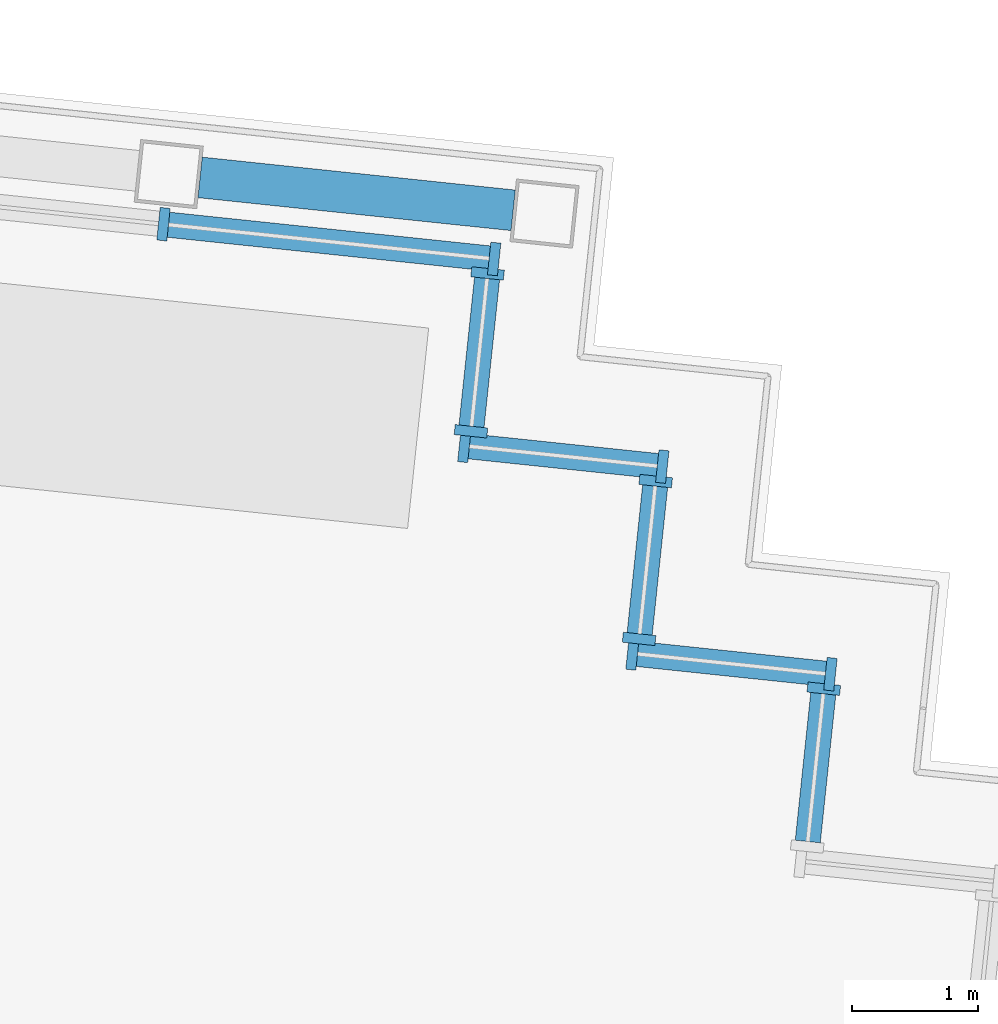
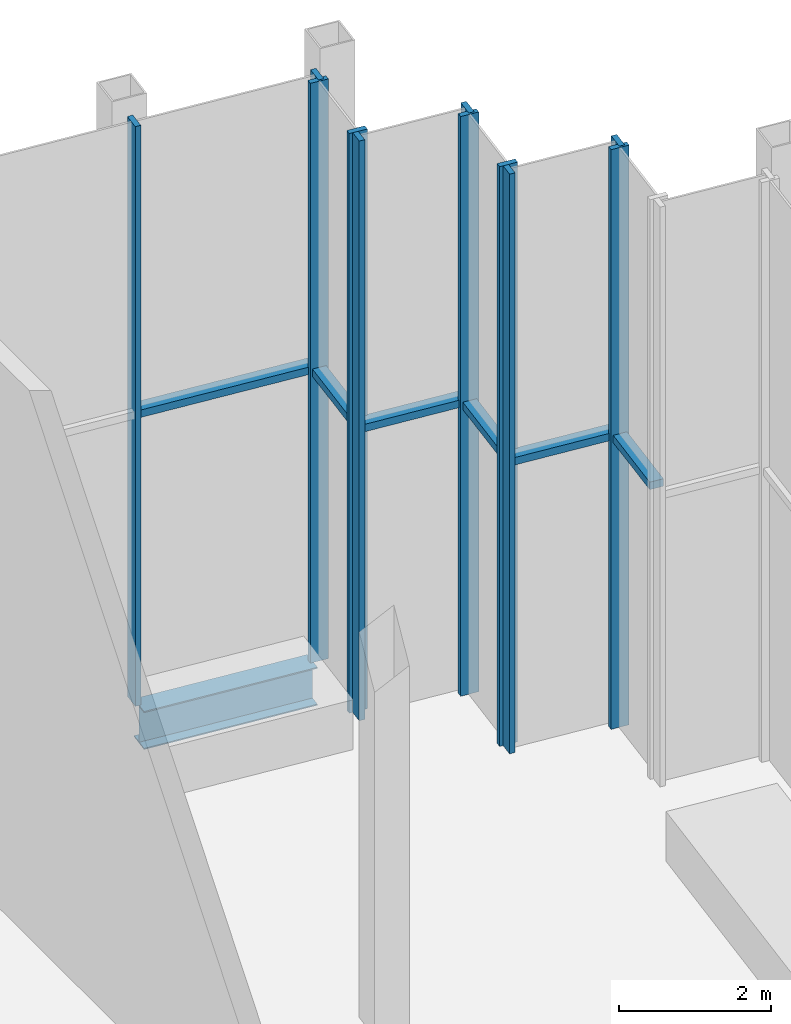
# One storey, part 5 of 14: 17 members, 1 beam, 6 elements without a shape of their own.
"""IFC4 building model written with IfcOpenShell, lengths in metres."""

from ifc_helpers import new_model, si_unit, direction, frame, origin, origin_2d, place, context, subcontext, project, spatial, rectangle, i_section, extrude, material, material_profile, profile_set, type_object, element, aggregate, save


model = new_model("IFC4")

# Units and contexts
model_context = context("Model", 3, precision=1e-05, world=origin(), true_north=direction((0.0, 1.0)))
body_context = subcontext(model_context, "Body", "Model", "MODEL_VIEW")
ifc_project = project(units=[si_unit("LENGTHUNIT", "METRE"), si_unit("AREAUNIT", "SQUARE_METRE"), si_unit("VOLUMEUNIT", "CUBIC_METRE"), si_unit("PLANEANGLEUNIT", "RADIAN"), si_unit("MASSUNIT", "GRAM", prefix="KILO")], contexts=[model_context])

# Site, building, storey
site_placement = place(None, origin())
site = spatial("IfcSite", under=ifc_project, at=site_placement, CompositionType="ELEMENT")
building_placement = place(site_placement, origin())
building = spatial("IfcBuilding", under=site, at=building_placement, Name="Vidyagriha Tower", CompositionType="ELEMENT")
storey_placement = place(building_placement, frame((0.0, 0.0, 281.89990234375)))
storey = spatial("IfcBuildingStorey", under=building, at=storey_placement, Name="L74", CompositionType="ELEMENT", Elevation=281.89990234375)

# Beam
ifc_material_1 = material(Name="Steel ASTM A992 Grade 50", Category="steel")
ifc_material_profile_1 = material_profile(ifc_material_1, i_section(OverallWidth=0.32373046875, OverallDepth=0.612060546875, WebThickness=0.0126953125, FlangeThickness=0.01904296875, at=origin_2d()), Name="W24X104")
ifc_profile_set_1 = profile_set([ifc_material_profile_1], Name="Steel ASTM A992 Grade 50")
beam_type = type_object("IfcBeamType", Name="Edge beam W24X104", PredefinedType="SPANDREL", material=ifc_profile_set_1)
beam_placement = place(storey_placement, frame((26.0869140625, 18.635986328125, -0.7060546875), z_axis=(0.994524701544, -0.104501760842, 0.0), x_axis=(0.104501760842, 0.994524701544, 0.0)))
element("IfcBeam", 1, at=beam_placement, inside=storey, type_object=beam_type, Name="st-beam-L74-NE20", PredefinedType="SPANDREL", context=body_context, shape_type="SweptSolid", body=[
    extrude(i_section(OverallWidth=0.32373046875, OverallDepth=0.612060546875, WebThickness=0.0126953125, FlangeThickness=0.01904296875, at=origin_2d()), origin(), (0.0, 0.0, 1.0), 2.499755859375),
])

# Curtain wall, member
ifc_material_2 = material(Name="Aluminium and glass curtain wall", Category="aluminium")
curtain_wall_type = type_object("IfcCurtainWallType", Name="Winter garden glazing wall", PredefinedType="USERDEFINED", material=ifc_material_2)
curtain_wall_1_placement = place(storey_placement, origin())
curtain_wall_1 = element("IfcCurtainWall", 2, at=curtain_wall_1_placement, inside=storey, type_object=curtain_wall_type, Name="CW3 winter garden glazing", ObjectType="STICK GLAZING", PredefinedType="USERDEFINED")
ifc_material_3 = material(Name="Aluminium black anodised", Category="aluminium")
ifc_material_profile_2 = material_profile(ifc_material_3, rectangle(XDim=0.260009765625, YDim=0.080078125, at=origin_2d()), Name="Mullion 80x260 black aluminium")
ifc_profile_set_2 = profile_set([ifc_material_profile_2], Name="Aluminium black anodised")
member_type_1 = type_object("IfcMemberType", Name="Mullion 80x260 black aluminium", PredefinedType="MULLION", material=ifc_profile_set_2)
member_1_placement = place(storey_placement, frame((31.03955078125, 14.575927734375, 0.0), z_axis=(0.0, 0.0, 1.0), x_axis=(-0.994527511623, 0.104475014354, 0.0)))
member_1 = element("IfcMember", 3, at=member_1_placement, type_object=member_type_1, Name="CW3 mullion 2", PredefinedType="MULLION", context=body_context, shape_type="SweptSolid", body=[
    extrude(rectangle(XDim=0.260009765625, YDim=0.080078125, at=origin_2d()), origin(), (0.0, 0.0, 1.0), 9.320068359375),
])

# Curtain wall, members
curtain_wall_2_placement = place(storey_placement, origin())
curtain_wall_2 = element("IfcCurtainWall", 4, at=curtain_wall_2_placement, inside=storey, type_object=curtain_wall_type, Name="CW3 winter garden glazing", ObjectType="STICK GLAZING", PredefinedType="USERDEFINED")
member_2_placement = place(storey_placement, frame((31.092041015625, 14.691162109375, 0.0), z_axis=(0.0, 0.0, 1.0), x_axis=(-0.104518583201, -0.994522933756, 0.0)))
member_2 = element("IfcMember", 5, at=member_2_placement, type_object=member_type_1, Name="CW3 mullion 1", PredefinedType="MULLION", context=body_context, shape_type="SweptSolid", body=[
    extrude(rectangle(XDim=0.260009765625, YDim=0.080078125, at=origin_2d()), origin(), (0.0, 0.0, 1.0), 9.320068359375),
])
member_3_placement = place(storey_placement, frame((29.5205078125, 14.856201171875, 0.0), z_axis=(0.0, 0.0, 1.0), x_axis=(-0.104518583201, -0.994522933756, 0.0)))
member_3 = element("IfcMember", 6, at=member_3_placement, type_object=member_type_1, Name="CW3 mullion 2", PredefinedType="MULLION", context=body_context, shape_type="SweptSolid", body=[
    extrude(rectangle(XDim=0.260009765625, YDim=0.080078125, at=origin_2d()), origin(), (0.0, 0.0, 1.0), 9.320068359375),
])

curtain_wall_3_placement = place(storey_placement, origin())
curtain_wall_3 = element("IfcCurtainWall", 7, at=curtain_wall_3_placement, inside=storey, type_object=curtain_wall_type, Name="CW3 winter garden glazing", ObjectType="STICK GLAZING", PredefinedType="USERDEFINED")
member_4_placement = place(storey_placement, frame((29.572998046875, 14.9716796875, 0.0), z_axis=(0.0, 0.0, 1.0), x_axis=(-0.994518939392, 0.104556583677, 0.0)))
member_4 = element("IfcMember", 8, at=member_4_placement, type_object=member_type_1, Name="CW3 mullion 1", PredefinedType="MULLION", context=body_context, shape_type="SweptSolid", body=[
    extrude(rectangle(XDim=0.260009765625, YDim=0.080078125, at=origin_2d()), origin(), (0.0, 0.0, 1.0), 9.320068359375),
])
member_5_placement = place(storey_placement, frame((29.70458984375, 16.224609375, 0.0), z_axis=(0.0, 0.0, 1.0), x_axis=(-0.994518939392, 0.104556583677, 0.0)))
member_5 = element("IfcMember", 9, at=member_5_placement, type_object=member_type_1, Name="CW3 mullion 2", PredefinedType="MULLION", context=body_context, shape_type="SweptSolid", body=[
    extrude(rectangle(XDim=0.260009765625, YDim=0.080078125, at=origin_2d()), origin(), (0.0, 0.0, 1.0), 9.320068359375),
])

curtain_wall_4_placement = place(storey_placement, origin())
curtain_wall_4 = element("IfcCurtainWall", 10, at=curtain_wall_4_placement, inside=storey, type_object=curtain_wall_type, Name="CW3 winter garden glazing", ObjectType="STICK GLAZING", PredefinedType="USERDEFINED")
member_6_placement = place(storey_placement, frame((29.7568359375, 16.33984375, 0.0), z_axis=(0.0, 0.0, 1.0), x_axis=(-0.104518583201, -0.994522933756, 0.0)))
member_6 = element("IfcMember", 11, at=member_6_placement, type_object=member_type_1, Name="CW3 mullion 1", PredefinedType="MULLION", context=body_context, shape_type="SweptSolid", body=[
    extrude(rectangle(XDim=0.260009765625, YDim=0.080078125, at=origin_2d()), origin(), (0.0, 0.0, 1.0), 9.320068359375),
])
member_7_placement = place(storey_placement, frame((28.185546875, 16.5048828125, 0.0), z_axis=(0.0, 0.0, 1.0), x_axis=(-0.104518583201, -0.994522933756, 0.0)))
member_7 = element("IfcMember", 12, at=member_7_placement, type_object=member_type_1, Name="CW3 mullion 2", PredefinedType="MULLION", context=body_context, shape_type="SweptSolid", body=[
    extrude(rectangle(XDim=0.260009765625, YDim=0.080078125, at=origin_2d()), origin(), (0.0, 0.0, 1.0), 9.320068359375),
])

curtain_wall_5_placement = place(storey_placement, origin())
curtain_wall_5 = element("IfcCurtainWall", 13, at=curtain_wall_5_placement, inside=storey, type_object=curtain_wall_type, Name="CW3 winter garden glazing", ObjectType="STICK GLAZING", PredefinedType="USERDEFINED")
member_8_placement = place(storey_placement, frame((28.23779296875, 16.6201171875, 0.0), z_axis=(0.0, 0.0, 1.0), x_axis=(-0.994518939392, 0.104556583677, 0.0)))
member_8 = element("IfcMember", 14, at=member_8_placement, type_object=member_type_1, Name="CW3 mullion 1", PredefinedType="MULLION", context=body_context, shape_type="SweptSolid", body=[
    extrude(rectangle(XDim=0.260009765625, YDim=0.080078125, at=origin_2d()), origin(), (0.0, 0.0, 1.0), 9.320068359375),
])
member_9_placement = place(storey_placement, frame((28.36962890625, 17.873291015625, 0.0), z_axis=(0.0, 0.0, 1.0), x_axis=(-0.994518939392, 0.104556583677, 0.0)))
member_9 = element("IfcMember", 15, at=member_9_placement, type_object=member_type_1, Name="CW3 mullion 2", PredefinedType="MULLION", context=body_context, shape_type="SweptSolid", body=[
    extrude(rectangle(XDim=0.260009765625, YDim=0.080078125, at=origin_2d()), origin(), (0.0, 0.0, 1.0), 9.320068359375),
])

curtain_wall_6_placement = place(storey_placement, origin())
curtain_wall_6 = element("IfcCurtainWall", 16, at=curtain_wall_6_placement, inside=storey, type_object=curtain_wall_type, Name="CW3 winter garden glazing", ObjectType="STICK GLAZING", PredefinedType="USERDEFINED")
member_10_placement = place(storey_placement, frame((28.421875, 17.98828125, 0.0), z_axis=(0.0, 0.0, 1.0), x_axis=(-0.104528022383, -0.994521941707, 0.0)))
member_10 = element("IfcMember", 17, at=member_10_placement, type_object=member_type_1, Name="CW3 mullion 1", PredefinedType="MULLION", context=body_context, shape_type="SweptSolid", body=[
    extrude(rectangle(XDim=0.260009765625, YDim=0.080078125, at=origin_2d()), origin(), (0.0, 0.0, 1.0), 9.320068359375),
])
member_11_placement = place(storey_placement, frame((25.79638671875, 18.264404296875, 0.0), z_axis=(0.0, 0.0, 1.0), x_axis=(-0.104528022383, -0.994521941707, 0.0)))
member_11 = element("IfcMember", 18, at=member_11_placement, type_object=member_type_1, Name="CW3 mullion 2", PredefinedType="MULLION", context=body_context, shape_type="SweptSolid", body=[
    extrude(rectangle(XDim=0.260009765625, YDim=0.080078125, at=origin_2d()), origin(), (0.0, 0.0, 1.0), 9.320068359375),
])

# Member
ifc_material_4 = material(Name="Aluminium black anodised", Category="aluminium")
ifc_material_profile_3 = material_profile(ifc_material_4, rectangle(XDim=0.199951171875, YDim=0.1201171875, at=origin_2d()), Name="Transom 120x200 black aluminium")
ifc_profile_set_3 = profile_set([ifc_material_profile_3], Name="Aluminium black anodised")
member_type_2 = type_object("IfcMemberType", Name="Transom 120x200 black aluminium", PredefinedType="USERDEFINED", material=ifc_profile_set_3)
member_12_placement = place(storey_placement, frame((30.912109375, 13.362548828125, 4.66015625), z_axis=(0.104480158203, 0.994526971249, 0.0), x_axis=(-0.994526971249, 0.104480158203, 0.0)))
member_12 = element("IfcMember", 19, at=member_12_placement, type_object=member_type_2, Name="CW3 transom 1.1", ObjectType="TRANSOM", PredefinedType="USERDEFINED", context=body_context, shape_type="SweptSolid", body=[
    extrude(rectangle(XDim=0.199951171875, YDim=0.1201171875, at=origin_2d()), origin(), (0.0, 0.0, 1.0), 1.179931640625),
])

aggregate(curtain_wall_1, [member_1, member_12])

member_13_placement = place(storey_placement, frame((31.05224609375, 14.6953125, 4.66015625), z_axis=(-0.994526834051, 0.104481464157, 0.0), x_axis=(-0.104481464157, -0.994526834051, 0.0)))
member_13 = element("IfcMember", 20, at=member_13_placement, type_object=member_type_2, Name="CW3 transom 1.1", ObjectType="TRANSOM", PredefinedType="USERDEFINED", context=body_context, shape_type="SweptSolid", body=[
    extrude(rectangle(XDim=0.199951171875, YDim=0.1201171875, at=origin_2d()), origin(), (0.0, 0.0, 1.0), 1.500244140625),
])

aggregate(curtain_wall_2, [member_2, member_3, member_13])

member_14_placement = place(storey_placement, frame((29.5771484375, 15.011474609375, 4.66015625), z_axis=(0.104501660344, 0.994524712104, 0.0), x_axis=(-0.994524712104, 0.104501660344, 0.0)))
member_14 = element("IfcMember", 21, at=member_14_placement, type_object=member_type_2, Name="CW3 transom 1.1", ObjectType="TRANSOM", PredefinedType="USERDEFINED", context=body_context, shape_type="SweptSolid", body=[
    extrude(rectangle(XDim=0.199951171875, YDim=0.1201171875, at=origin_2d()), origin(), (0.0, 0.0, 1.0), 1.1796875),
])

aggregate(curtain_wall_3, [member_4, member_5, member_14])

member_15_placement = place(storey_placement, frame((29.717041015625, 16.343994140625, 4.66015625), z_axis=(-0.994525057048, 0.104498377516, 0.0), x_axis=(-0.104498377516, -0.994525057048, 0.0)))
member_15 = element("IfcMember", 22, at=member_15_placement, type_object=member_type_2, Name="CW3 transom 1.1", ObjectType="TRANSOM", PredefinedType="USERDEFINED", context=body_context, shape_type="SweptSolid", body=[
    extrude(rectangle(XDim=0.199951171875, YDim=0.1201171875, at=origin_2d()), origin(), (0.0, 0.0, 1.0), 1.5),
])

aggregate(curtain_wall_4, [member_6, member_7, member_15])

member_16_placement = place(storey_placement, frame((28.241943359375, 16.659912109375, 4.66015625), z_axis=(0.104684784518, 0.994505452921, 0.0), x_axis=(-0.994505452921, 0.104684784518, 0.0)))
member_16 = element("IfcMember", 23, at=member_16_placement, type_object=member_type_2, Name="CW3 transom 1.1", ObjectType="TRANSOM", PredefinedType="USERDEFINED", context=body_context, shape_type="SweptSolid", body=[
    extrude(rectangle(XDim=0.199951171875, YDim=0.1201171875, at=origin_2d()), origin(), (0.0, 0.0, 1.0), 1.18017578125),
])

aggregate(curtain_wall_5, [member_8, member_9, member_16])

member_17_placement = place(storey_placement, frame((28.382080078125, 17.99267578125, 4.66015625), z_axis=(-0.994522162708, 0.104525919671, 0.0), x_axis=(-0.104525919671, -0.994522162708, 0.0)))
member_17 = element("IfcMember", 24, at=member_17_placement, type_object=member_type_2, Name="CW3 transom 1.1", ObjectType="TRANSOM", PredefinedType="USERDEFINED", context=body_context, shape_type="SweptSolid", body=[
    extrude(rectangle(XDim=0.199951171875, YDim=0.1201171875, at=origin_2d()), origin(), (0.0, 0.0, 1.0), 2.559814453125),
])

aggregate(curtain_wall_6, [member_10, member_11, member_17])

save(model, "model.ifc")
